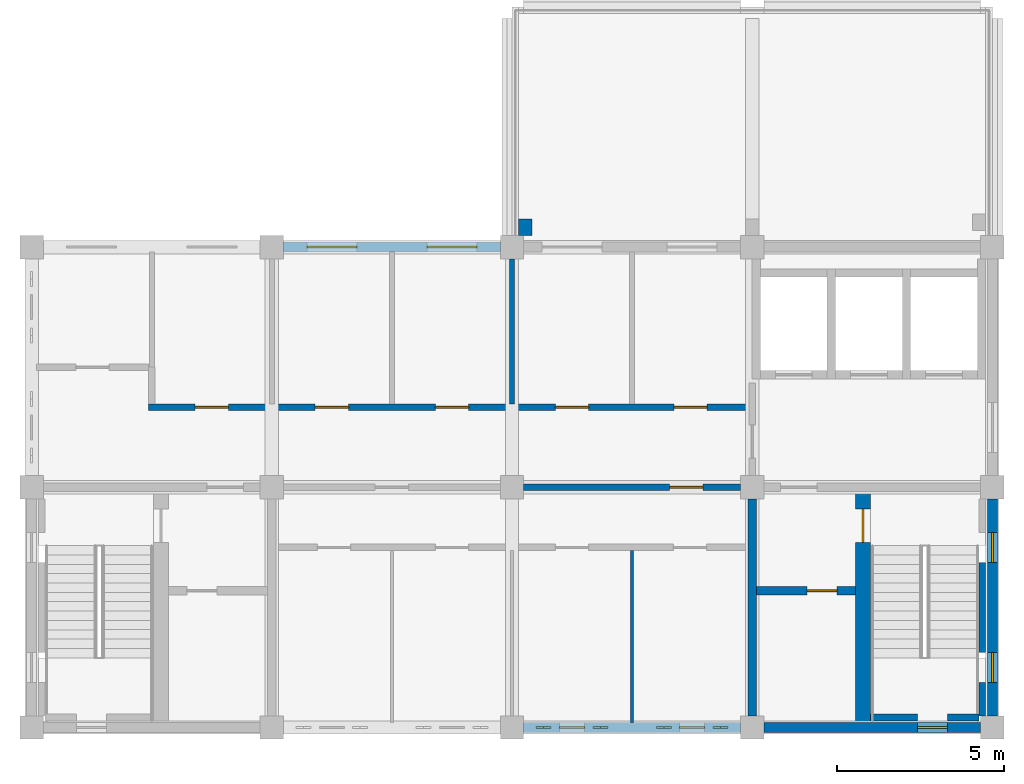
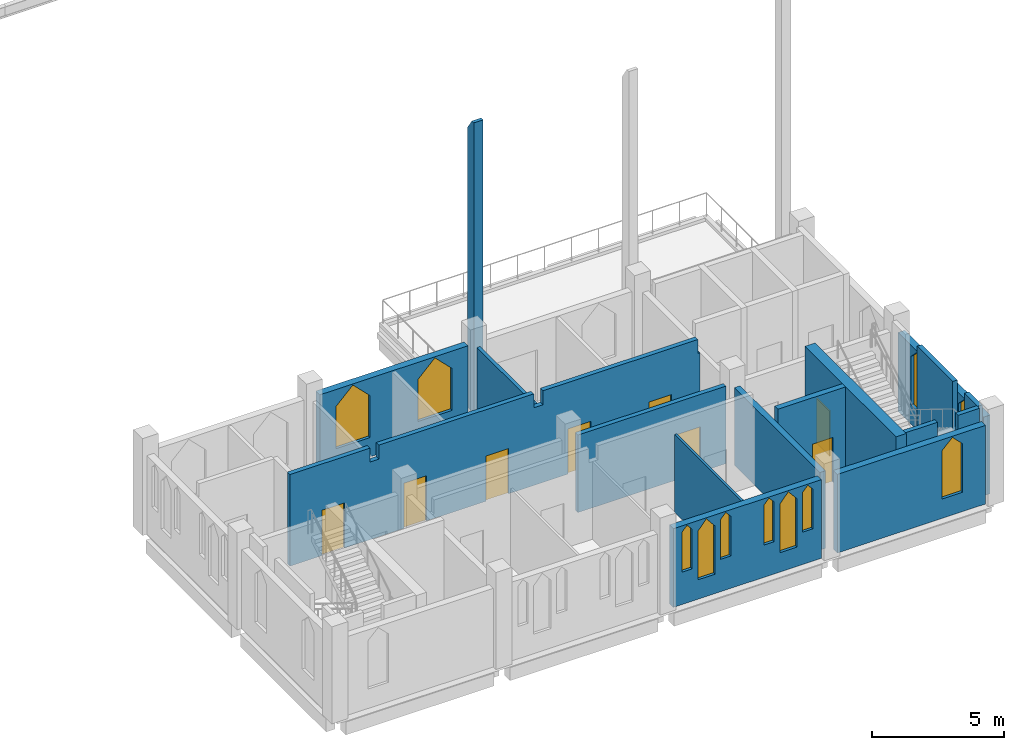
# One storey, part 3 of 5: 16 walls, 11 windows, 8 doors, 19 openings.
"""IFC4 building model written with IfcOpenShell, lengths in metres."""

from ifc_helpers import new_model, si_unit, direction, frame, frame_2d, origin, place, context, subcontext, project, spatial, polyline, rectangle, outline, extrude, material, layer, layer_set, type_object, element, fill, save


model = new_model("IFC4")

# Units and contexts
model_context = context("Model", 3, precision=1e-05, world=origin(), true_north=direction((0.0, 1.0)))
body_context = subcontext(model_context, "Body", "Model", "MODEL_VIEW")
ifc_project = project(units=[si_unit("LENGTHUNIT", "METRE"), si_unit("AREAUNIT", "SQUARE_METRE"), si_unit("VOLUMEUNIT", "CUBIC_METRE"), si_unit("PLANEANGLEUNIT", "RADIAN"), si_unit("MASSUNIT", "GRAM", prefix="KILO")], contexts=[model_context])

# Site, building, storey
site_placement = place(None, origin())
site = spatial("IfcSite", under=ifc_project, at=site_placement, CompositionType="ELEMENT")
building_placement = place(site_placement, origin())
building = spatial("IfcBuilding", under=site, at=building_placement, Name="Silangan Lancet Faculty of Sciences", CompositionType="ELEMENT")
storey_placement = place(building_placement, frame((0.0, 0.0, 67.800048828125)))
storey = spatial("IfcBuildingStorey", under=building, at=storey_placement, Name="L14", CompositionType="ELEMENT", Elevation=67.800048828125)

# Wall, openings, windows
ifc_material_1 = material(Name="Concrete C40/50 precast", Category="concrete")
ifc_layer_1 = layer(ifc_material_1, 0.300048828125)
ifc_layer_set_1 = layer_set([ifc_layer_1], Name="Concrete C40/50 precast")
wall_type_1 = type_object("IfcWallType", Name="EW1 Precast cladding wall", PredefinedType="STANDARD", material=ifc_layer_set_1)
wall_1_placement = place(storey_placement, frame((14.75, 0.0, 0.0), z_axis=(0.0, 0.0, 1.0), x_axis=(1.0, 0.0, 0.0)))
wall_1 = element("IfcWall", 1, at=wall_1_placement, inside=storey, type_object=wall_type_1, Name="EW-L14-S-ST-02", PredefinedType="STANDARD", context=body_context, shape_type="SweptSolid", body=[
    extrude(rectangle(XDim=6.5, YDim=0.300048828125, at=frame_2d((3.25, 0.0))), origin(), (0.0, 0.0, 1.0), 3.64990234375),
])
opening_1_placement = place(wall_1_placement, frame((0.375, 0.0, 1.5)))
opening_1 = element("IfcOpeningElement", 2, at=opening_1_placement, cuts=wall_1, Name="Opening W27", PredefinedType="OPENING", context=body_context, shape_type="SweptSolid", body=[
    extrude(outline(polyline([(0.0, 0.0), (0.449951171875, 0.0), (0.449951171875, 1.85009765625), (0.22509765625, 2.10009765625), (0.0, 1.85009765625), (0.0, 0.0)])), frame((0.0, 0.159912109375, 0.0), z_axis=(0.0, -1.0, 0.0), x_axis=(1.0, 0.0, 0.0)), (0.0, 0.0, 1.0), 0.320068359375),
])
opening_2_placement = place(wall_1_placement, frame((1.074951171875, 0.0, 0.89990234375)))
opening_2 = element("IfcOpeningElement", 3, at=opening_2_placement, cuts=wall_1, Name="Opening W28", PredefinedType="OPENING", context=body_context, shape_type="SweptSolid", body=[
    extrude(outline(polyline([(0.0, 0.0), (0.75, 0.0), (0.75, 2.25), (0.375, 2.699951171875), (0.0, 2.25), (0.0, 0.0)])), frame((0.0, 0.159912109375, 0.0), z_axis=(0.0, -1.0, 0.0), x_axis=(1.0, 0.0, 0.0)), (0.0, 0.0, 1.0), 0.320068359375),
])
opening_3_placement = place(wall_1_placement, frame((2.074951171875, 0.0, 1.5)))
opening_3 = element("IfcOpeningElement", 4, at=opening_3_placement, cuts=wall_1, Name="Opening W27", PredefinedType="OPENING", context=body_context, shape_type="SweptSolid", body=[
    extrude(outline(polyline([(0.0, 0.0), (0.449951171875, 0.0), (0.449951171875, 1.85009765625), (0.22509765625, 2.10009765625), (0.0, 1.85009765625), (0.0, 0.0)])), frame((0.0, 0.159912109375, 0.0), z_axis=(0.0, -1.0, 0.0), x_axis=(1.0, 0.0, 0.0)), (0.0, 0.0, 1.0), 0.320068359375),
])
opening_4_placement = place(wall_1_placement, frame((3.97509765625, 0.0, 1.5)))
opening_4 = element("IfcOpeningElement", 5, at=opening_4_placement, cuts=wall_1, Name="Opening W27", PredefinedType="OPENING", context=body_context, shape_type="SweptSolid", body=[
    extrude(outline(polyline([(0.0, 0.0), (0.449951171875, 0.0), (0.449951171875, 1.85009765625), (0.22509765625, 2.10009765625), (0.0, 1.85009765625), (0.0, 0.0)])), frame((0.0, 0.159912109375, 0.0), z_axis=(0.0, -1.0, 0.0), x_axis=(1.0, 0.0, 0.0)), (0.0, 0.0, 1.0), 0.320068359375),
])
opening_5_placement = place(wall_1_placement, frame((4.675048828125, 0.0, 0.89990234375)))
opening_5 = element("IfcOpeningElement", 6, at=opening_5_placement, cuts=wall_1, Name="Opening W28", PredefinedType="OPENING", context=body_context, shape_type="SweptSolid", body=[
    extrude(outline(polyline([(0.0, 0.0), (0.75, 0.0), (0.75, 2.25), (0.375, 2.699951171875), (0.0, 2.25), (0.0, 0.0)])), frame((0.0, 0.159912109375, 0.0), z_axis=(0.0, -1.0, 0.0), x_axis=(1.0, 0.0, 0.0)), (0.0, 0.0, 1.0), 0.320068359375),
])
opening_6_placement = place(wall_1_placement, frame((5.675048828125, 0.0, 1.5)))
opening_6 = element("IfcOpeningElement", 7, at=opening_6_placement, cuts=wall_1, Name="Opening W27", PredefinedType="OPENING", context=body_context, shape_type="SweptSolid", body=[
    extrude(outline(polyline([(0.0, 0.0), (0.449951171875, 0.0), (0.449951171875, 1.85009765625), (0.22509765625, 2.10009765625), (0.0, 1.85009765625), (0.0, 0.0)])), frame((0.0, 0.159912109375, 0.0), z_axis=(0.0, -1.0, 0.0), x_axis=(1.0, 0.0, 0.0)), (0.0, 0.0, 1.0), 0.320068359375),
])
ifc_material_2 = material(Name="Aluminium frame, laminated double glazing", Category="aluminium")
window_type_1 = type_object("IfcWindowType", Name="W27 Lancet window 450 x 2100 on a 1500 sill", PartitioningType="SINGLE_PANEL", PredefinedType="WINDOW", material=ifc_material_2)
window_1_placement = place(opening_1_placement, origin())
window_1 = element("IfcWindow", 8, at=window_1_placement, inside=storey, type_object=window_type_1, Name="WIN-L14-S-ST-02a1", OverallHeight=2.10009765625, OverallWidth=0.449951171875, PartitioningType="SINGLE_PANEL", PredefinedType="WINDOW", context=body_context, shape_type="SweptSolid", body=[
    extrude(outline(polyline([(0.0, 0.0), (0.449951171875, 0.0), (0.449951171875, 1.85009765625), (0.22509765625, 2.10009765625), (0.0, 1.85009765625), (0.0, 0.0)])), frame((0.0, 0.030029296875, 0.0), z_axis=(0.0, -1.0, 0.0), x_axis=(1.0, 0.0, 0.0)), (0.0, 0.0, 1.0), 0.06005859375),
])
fill(opening_1, window_1)
window_2_placement = place(opening_3_placement, origin())
window_2 = element("IfcWindow", 9, at=window_2_placement, inside=storey, type_object=window_type_1, Name="WIN-L14-S-ST-02a3", OverallHeight=2.10009765625, OverallWidth=0.449951171875, PartitioningType="SINGLE_PANEL", PredefinedType="WINDOW", context=body_context, shape_type="SweptSolid", body=[
    extrude(outline(polyline([(0.0, 0.0), (0.449951171875, 0.0), (0.449951171875, 1.85009765625), (0.22509765625, 2.10009765625), (0.0, 1.85009765625), (0.0, 0.0)])), frame((0.0, 0.030029296875, 0.0), z_axis=(0.0, -1.0, 0.0), x_axis=(1.0, 0.0, 0.0)), (0.0, 0.0, 1.0), 0.06005859375),
])
fill(opening_3, window_2)
window_3_placement = place(opening_4_placement, origin())
window_3 = element("IfcWindow", 10, at=window_3_placement, inside=storey, type_object=window_type_1, Name="WIN-L14-S-ST-02b1", OverallHeight=2.10009765625, OverallWidth=0.449951171875, PartitioningType="SINGLE_PANEL", PredefinedType="WINDOW", context=body_context, shape_type="SweptSolid", body=[
    extrude(outline(polyline([(0.0, 0.0), (0.449951171875, 0.0), (0.449951171875, 1.85009765625), (0.22509765625, 2.10009765625), (0.0, 1.85009765625), (0.0, 0.0)])), frame((0.0, 0.030029296875, 0.0), z_axis=(0.0, -1.0, 0.0), x_axis=(1.0, 0.0, 0.0)), (0.0, 0.0, 1.0), 0.06005859375),
])
fill(opening_4, window_3)
window_4_placement = place(opening_6_placement, origin())
window_4 = element("IfcWindow", 11, at=window_4_placement, inside=storey, type_object=window_type_1, Name="WIN-L14-S-ST-02b3", OverallHeight=2.10009765625, OverallWidth=0.449951171875, PartitioningType="SINGLE_PANEL", PredefinedType="WINDOW", context=body_context, shape_type="SweptSolid", body=[
    extrude(outline(polyline([(0.0, 0.0), (0.449951171875, 0.0), (0.449951171875, 1.85009765625), (0.22509765625, 2.10009765625), (0.0, 1.85009765625), (0.0, 0.0)])), frame((0.0, 0.030029296875, 0.0), z_axis=(0.0, -1.0, 0.0), x_axis=(1.0, 0.0, 0.0)), (0.0, 0.0, 1.0), 0.06005859375),
])
fill(opening_6, window_4)
ifc_material_3 = material(Name="Aluminium frame, laminated double glazing", Category="aluminium")
window_type_2 = type_object("IfcWindowType", Name="W28 Lancet window 750 x 2700", PartitioningType="SINGLE_PANEL", PredefinedType="WINDOW", material=ifc_material_3)
window_5_placement = place(opening_2_placement, origin())
window_5 = element("IfcWindow", 12, at=window_5_placement, inside=storey, type_object=window_type_2, Name="WIN-L14-S-ST-02a2", OverallHeight=2.699951171875, OverallWidth=0.75, PartitioningType="SINGLE_PANEL", PredefinedType="WINDOW", context=body_context, shape_type="SweptSolid", body=[
    extrude(outline(polyline([(0.0, 0.0), (0.75, 0.0), (0.75, 2.25), (0.375, 2.699951171875), (0.0, 2.25), (0.0, 0.0)])), frame((0.0, 0.030029296875, 0.0), z_axis=(0.0, -1.0, 0.0), x_axis=(1.0, 0.0, 0.0)), (0.0, 0.0, 1.0), 0.06005859375),
])
fill(opening_2, window_5)
window_6_placement = place(opening_5_placement, origin())
window_6 = element("IfcWindow", 13, at=window_6_placement, inside=storey, type_object=window_type_2, Name="WIN-L14-S-ST-02b2", OverallHeight=2.699951171875, OverallWidth=0.75, PartitioningType="SINGLE_PANEL", PredefinedType="WINDOW", context=body_context, shape_type="SweptSolid", body=[
    extrude(outline(polyline([(0.0, 0.0), (0.75, 0.0), (0.75, 2.25), (0.375, 2.699951171875), (0.0, 2.25), (0.0, 0.0)])), frame((0.0, 0.030029296875, 0.0), z_axis=(0.0, -1.0, 0.0), x_axis=(1.0, 0.0, 0.0)), (0.0, 0.0, 1.0), 0.06005859375),
])
fill(opening_5, window_6)

wall_2_placement = place(storey_placement, frame((14.050048828125, 14.39990234375, 0.0), z_axis=(0.0, 0.0, 1.0), x_axis=(-1.0, 0.0, 0.0)))
wall_2 = element("IfcWall", 14, at=wall_2_placement, inside=storey, type_object=wall_type_1, Name="EW-L14-N-ST-U-02", PredefinedType="STANDARD", context=body_context, shape_type="SweptSolid", body=[
    extrude(rectangle(XDim=6.5, YDim=0.300048828125, at=frame_2d((3.25, 0.0))), origin(), (0.0, 0.0, 1.0), 3.64990234375),
])
opening_7_placement = place(wall_2_placement, frame((0.699951171875, 0.0, 0.89990234375)))
opening_7 = element("IfcOpeningElement", 15, at=opening_7_placement, cuts=wall_2, Name="Opening W23", PredefinedType="OPENING", context=body_context, shape_type="SweptSolid", body=[
    extrude(outline(polyline([(0.0, 0.0), (1.5, 0.0), (1.5, 1.949951171875), (0.75, 2.699951171875), (0.0, 1.949951171875), (0.0, 0.0)])), frame((0.0, 0.159912109375, 0.0), z_axis=(0.0, -1.0, 0.0), x_axis=(1.0, 0.0, 0.0)), (0.0, 0.0, 1.0), 0.320068359375),
])
opening_8_placement = place(wall_2_placement, frame((4.300048828125, 0.0, 0.89990234375)))
opening_8 = element("IfcOpeningElement", 16, at=opening_8_placement, cuts=wall_2, Name="Opening W23", PredefinedType="OPENING", context=body_context, shape_type="SweptSolid", body=[
    extrude(outline(polyline([(0.0, 0.0), (1.5, 0.0), (1.5, 1.949951171875), (0.75, 2.699951171875), (0.0, 1.949951171875), (0.0, 0.0)])), frame((0.0, 0.159912109375, 0.0), z_axis=(0.0, -1.0, 0.0), x_axis=(1.0, 0.0, 0.0)), (0.0, 0.0, 1.0), 0.320068359375),
])
ifc_material_4 = material(Name="Aluminium frame, laminated double glazing", Category="aluminium")
window_type_3 = type_object("IfcWindowType", Name="W23 Lancet window 1500 x 2700", PartitioningType="SINGLE_PANEL", PredefinedType="WINDOW", material=ifc_material_4)
window_7_placement = place(opening_7_placement, origin())
window_7 = element("IfcWindow", 17, at=window_7_placement, inside=storey, type_object=window_type_3, Name="WIN-L14-N-ST-U-02a", OverallHeight=2.699951171875, OverallWidth=1.5, PartitioningType="SINGLE_PANEL", PredefinedType="WINDOW", context=body_context, shape_type="SweptSolid", body=[
    extrude(outline(polyline([(0.0, 0.0), (1.5, 0.0), (1.5, 1.949951171875), (0.75, 2.699951171875), (0.0, 1.949951171875), (0.0, 0.0)])), frame((0.0, 0.030029296875, 0.0), z_axis=(0.0, -1.0, 0.0), x_axis=(1.0, 0.0, 0.0)), (0.0, 0.0, 1.0), 0.06005859375),
])
fill(opening_7, window_7)
window_8_placement = place(opening_8_placement, origin())
window_8 = element("IfcWindow", 18, at=window_8_placement, inside=storey, type_object=window_type_3, Name="WIN-L14-N-ST-U-02b", OverallHeight=2.699951171875, OverallWidth=1.5, PartitioningType="SINGLE_PANEL", PredefinedType="WINDOW", context=body_context, shape_type="SweptSolid", body=[
    extrude(outline(polyline([(0.0, 0.0), (1.5, 0.0), (1.5, 1.949951171875), (0.75, 2.699951171875), (0.0, 1.949951171875), (0.0, 0.0)])), frame((0.0, 0.030029296875, 0.0), z_axis=(0.0, -1.0, 0.0), x_axis=(1.0, 0.0, 0.0)), (0.0, 0.0, 1.0), 0.06005859375),
])
fill(opening_8, window_8)

# Wall, opening, window
ifc_material_5 = material(Name="Concrete C40/50 precast", Category="concrete")
ifc_layer_2 = layer(ifc_material_5, 0.300048828125)
ifc_layer_set_2 = layer_set([ifc_layer_2], Name="Concrete C40/50 precast")
wall_type_2 = type_object("IfcWallType", Name="EW2 Turret enclosure wall", PredefinedType="STANDARD", material=ifc_layer_set_2)
wall_3_placement = place(storey_placement, frame((21.949951171875, 0.0, 0.0), z_axis=(0.0, 0.0, 1.0), x_axis=(1.0, 0.0, 0.0)))
wall_3 = element("IfcWall", 19, at=wall_3_placement, inside=storey, type_object=wall_type_2, Name="EW-L14-S-ST-03", PredefinedType="STANDARD", context=body_context, shape_type="SweptSolid", body=[
    extrude(rectangle(XDim=6.5, YDim=0.300048828125, at=frame_2d((3.25, 0.0))), origin(), (0.0, 0.0, 1.0), 3.64990234375),
])
opening_9_placement = place(wall_3_placement, frame((4.60009765625, 0.0, 0.89990234375)))
opening_9 = element("IfcOpeningElement", 20, at=opening_9_placement, cuts=wall_3, Name="Opening W22", PredefinedType="OPENING", context=body_context, shape_type="SweptSolid", body=[
    extrude(outline(polyline([(0.0, 0.0), (0.89990234375, 0.0), (0.89990234375, 2.25), (0.449951171875, 2.699951171875), (0.0, 2.25), (0.0, 0.0)])), frame((0.0, 0.159912109375, 0.0), z_axis=(0.0, -1.0, 0.0), x_axis=(1.0, 0.0, 0.0)), (0.0, 0.0, 1.0), 0.320068359375),
])
ifc_material_6 = material(Name="Aluminium frame, laminated double glazing", Category="aluminium")
window_type_4 = type_object("IfcWindowType", Name="W22 Lancet window 900 x 2700", PartitioningType="SINGLE_PANEL", PredefinedType="WINDOW", material=ifc_material_6)
window_9_placement = place(opening_9_placement, origin())
window_9 = element("IfcWindow", 21, at=window_9_placement, inside=storey, type_object=window_type_4, Name="WIN-L14-S-ST-03b", OverallHeight=2.699951171875, OverallWidth=0.89990234375, PartitioningType="SINGLE_PANEL", PredefinedType="WINDOW", context=body_context, shape_type="SweptSolid", body=[
    extrude(outline(polyline([(0.0, 0.0), (0.89990234375, 0.0), (0.89990234375, 2.25), (0.449951171875, 2.699951171875), (0.0, 2.25), (0.0, 0.0)])), frame((0.0, 0.030029296875, 0.0), z_axis=(0.0, -1.0, 0.0), x_axis=(1.0, 0.0, 0.0)), (0.0, 0.0, 1.0), 0.06005859375),
])
fill(opening_9, window_9)

# Wall, openings, windows
wall_4_placement = place(storey_placement, frame((28.800048828125, 0.35009765625, 0.0), z_axis=(0.0, 0.0, 1.0), x_axis=(0.0, 1.0, 0.0)))
wall_4 = element("IfcWall", 22, at=wall_4_placement, inside=storey, type_object=wall_type_2, Name="EW-L14-E-ST-U-00", PredefinedType="STANDARD", context=body_context, shape_type="SweptSolid", body=[
    extrude(rectangle(XDim=6.5, YDim=0.300048828125, at=frame_2d((3.25, 0.0))), origin(), (0.0, 0.0, 1.0), 3.64990234375),
])
opening_10_placement = place(wall_4_placement, frame((1.0, 0.0, 0.89990234375)))
opening_10 = element("IfcOpeningElement", 23, at=opening_10_placement, cuts=wall_4, Name="Opening W22", PredefinedType="OPENING", context=body_context, shape_type="SweptSolid", body=[
    extrude(outline(polyline([(0.0, 0.0), (0.89990234375, 0.0), (0.89990234375, 2.25), (0.449951171875, 2.699951171875), (0.0, 2.25), (0.0, 0.0)])), frame((0.0, 0.159912109375, 0.0), z_axis=(0.0, -1.0, 0.0), x_axis=(1.0, 0.0, 0.0)), (0.0, 0.0, 1.0), 0.320068359375),
])
opening_11_placement = place(wall_4_placement, frame((4.60009765625, 0.0, 0.89990234375)))
opening_11 = element("IfcOpeningElement", 24, at=opening_11_placement, cuts=wall_4, Name="Opening W22", PredefinedType="OPENING", context=body_context, shape_type="SweptSolid", body=[
    extrude(outline(polyline([(0.0, 0.0), (0.89990234375, 0.0), (0.89990234375, 2.25), (0.449951171875, 2.699951171875), (0.0, 2.25), (0.0, 0.0)])), frame((0.0, 0.159912109375, 0.0), z_axis=(0.0, -1.0, 0.0), x_axis=(1.0, 0.0, 0.0)), (0.0, 0.0, 1.0), 0.320068359375),
])
window_10_placement = place(opening_10_placement, origin())
window_10 = element("IfcWindow", 25, at=window_10_placement, inside=storey, type_object=window_type_4, Name="WIN-L14-E-ST-U-00a", OverallHeight=2.699951171875, OverallWidth=0.89990234375, PartitioningType="SINGLE_PANEL", PredefinedType="WINDOW", context=body_context, shape_type="SweptSolid", body=[
    extrude(outline(polyline([(0.0, 0.0), (0.89990234375, 0.0), (0.89990234375, 2.25), (0.449951171875, 2.699951171875), (0.0, 2.25), (0.0, 0.0)])), frame((0.0, 0.030029296875, 0.0), z_axis=(0.0, -1.0, 0.0), x_axis=(1.0, 0.0, 0.0)), (0.0, 0.0, 1.0), 0.06005859375),
])
fill(opening_10, window_10)
window_11_placement = place(opening_11_placement, origin())
window_11 = element("IfcWindow", 26, at=window_11_placement, inside=storey, type_object=window_type_4, Name="WIN-L14-E-ST-U-00b", OverallHeight=2.699951171875, OverallWidth=0.89990234375, PartitioningType="SINGLE_PANEL", PredefinedType="WINDOW", context=body_context, shape_type="SweptSolid", body=[
    extrude(outline(polyline([(0.0, 0.0), (0.89990234375, 0.0), (0.89990234375, 2.25), (0.449951171875, 2.699951171875), (0.0, 2.25), (0.0, 0.0)])), frame((0.0, 0.030029296875, 0.0), z_axis=(0.0, -1.0, 0.0), x_axis=(1.0, 0.0, 0.0)), (0.0, 0.0, 1.0), 0.06005859375),
])
fill(opening_11, window_11)

# Wall
ifc_material_7 = material(Name="Concrete C40/50 precast", Category="concrete")
ifc_layer_3 = layer(ifc_material_7, 0.39990234375)
ifc_layer_set_3 = layer_set([ifc_layer_3], Name="Concrete C40/50 precast")
wall_type_3 = type_object("IfcWallType", Name="FN34 Buttress Fin column line stage 4 13500", PredefinedType="POLYGONAL", material=ifc_layer_set_3)
wall_5_placement = place(storey_placement, frame((14.800048828125, 14.75, 0.0), z_axis=(0.0, 0.0, 1.0), x_axis=(0.0, 1.0, 0.0)))
element("IfcWall", 27, at=wall_5_placement, inside=storey, type_object=wall_type_3, Name="FINC-N-ST-T-03", PredefinedType="POLYGONAL", context=body_context, shape_type="SweptSolid", body=[
    extrude(outline(polyline([(0.5, 0.0), (0.5, 12.974853515625), (0.14990234375, 13.5), (0.0, 13.5), (0.0, 0.0), (0.5, 0.0)])), frame((0.0, 0.199951171875, 0.0), z_axis=(0.0, -1.0, 0.0), x_axis=(1.0, 0.0, 0.0)), (0.0, 0.0, 1.0), 0.39990234375),
])

# Wall, opening, door
ifc_material_8 = material(Name="Hollow block masonry fm 7 MPa", Category="masonry")
ifc_layer_4 = layer(ifc_material_8, 0.199951171875)
ifc_layer_set_4 = layer_set([ifc_layer_4], Name="Hollow block masonry fm 7 MPa")
wall_type_4 = type_object("IfcWallType", Name="Interior wall PW1 Corridor wall CHB 200", PredefinedType="PARTITIONING", material=ifc_layer_set_4)
wall_6_placement = place(storey_placement, frame((14.75, 7.199951171875, 0.0), z_axis=(0.0, 0.0, 1.0), x_axis=(1.0, 0.0, 0.0)))
wall_6 = element("IfcWall", 28, at=wall_6_placement, inside=storey, type_object=wall_type_4, Name="Corridor wall CHB 200", PredefinedType="PARTITIONING", context=body_context, shape_type="SweptSolid", body=[
    extrude(rectangle(XDim=6.5, YDim=0.199951171875, at=frame_2d((3.25, 0.0))), origin(), (0.0, 0.0, 1.0), 3.599853515625),
])
opening_12_placement = place(wall_6_placement, frame((4.375, 0.0, 0.0)))
opening_12 = element("IfcOpeningElement", 29, at=opening_12_placement, cuts=wall_6, Name="Opening L14-003", PredefinedType="OPENING", context=body_context, shape_type="SweptSolid", body=[
    extrude(rectangle(XDim=1.0, YDim=2.10009765625, at=frame_2d((0.5, 1.050048828125))), frame((0.0, 0.10986328125, 0.0), z_axis=(0.0, -1.0, 0.0), x_axis=(1.0, 0.0, 0.0)), (0.0, 0.0, 1.0), 0.219970703125),
])
ifc_material_9 = material(Name="Steel fire door set", Category="steel")
door_type_1 = type_object("IfcDoorType", Name="Door D1 Single leaf fire door 1000 x 2100", OperationType="SINGLE_SWING_LEFT", PredefinedType="DOOR", material=ifc_material_9)
door_1_placement = place(opening_12_placement, frame((1.0, 0.0, 0.0), z_axis=(0.0, 0.0, 1.0), x_axis=(-1.0, 0.0, 0.0)))
door_1 = element("IfcDoor", 30, at=door_1_placement, inside=storey, type_object=door_type_1, Name="Single leaf fire door 1000 x 2100", OperationType="SINGLE_SWING_RIGHT", OverallHeight=2.10009765625, OverallWidth=1.0, PredefinedType="DOOR", context=body_context, shape_type="SweptSolid", body=[
    extrude(rectangle(XDim=1.0, YDim=2.10009765625, at=frame_2d((0.5, 1.050048828125))), frame((0.0, 0.025146484375, 0.0), z_axis=(0.0, -1.0, 0.0), x_axis=(1.0, 0.0, 0.0)), (0.0, 0.0, 1.0), 0.050048828125),
])
fill(opening_12, door_1)

# Wall, openings, doors
wall_7_placement = place(storey_placement, frame((3.5, 9.60009765625, 0.0), z_axis=(0.0, 0.0, 1.0), x_axis=(1.0, 0.0, 0.0)))
wall_7 = element("IfcWall", 31, at=wall_7_placement, inside=storey, type_object=wall_type_4, Name="Corridor wall CHB 200", PredefinedType="PARTITIONING", context=body_context, shape_type="SweptSolid", body=[
    extrude(outline(polyline([(0.0, 0.0), (18.0, 0.0), (18.0, 3.599853515625), (17.89990234375, 3.599853515625), (17.89990234375, 4.25), (11.10009765625, 4.25), (11.10009765625, 3.599853515625), (10.699951171875, 3.599853515625), (10.699951171875, 4.25), (3.89990234375, 4.25), (3.89990234375, 3.599853515625), (3.5, 3.599853515625), (3.5, 4.25), (0.0, 4.25), (0.0, 0.0)])), frame((0.0, 0.10009765625, 0.0), z_axis=(0.0, -1.0, 0.0), x_axis=(1.0, 0.0, 0.0)), (0.0, 0.0, 1.0), 0.199951171875),
])
opening_13_placement = place(wall_7_placement, frame((15.75, 0.0, 0.0)))
opening_13 = element("IfcOpeningElement", 32, at=opening_13_placement, cuts=wall_7, Name="Opening L14-008", PredefinedType="OPENING", context=body_context, shape_type="SweptSolid", body=[
    extrude(rectangle(XDim=1.0, YDim=2.10009765625, at=frame_2d((0.5, 1.050048828125))), frame((0.0, 0.10986328125, 0.0), z_axis=(0.0, -1.0, 0.0), x_axis=(1.0, 0.0, 0.0)), (0.0, 0.0, 1.0), 0.219970703125),
])
opening_14_placement = place(wall_7_placement, frame((1.39990234375, 0.0, 0.0)))
opening_14 = element("IfcOpeningElement", 33, at=opening_14_placement, cuts=wall_7, Name="Opening L14-010", PredefinedType="OPENING", context=body_context, shape_type="SweptSolid", body=[
    extrude(rectangle(XDim=1.0, YDim=2.10009765625, at=frame_2d((0.5, 1.050048828125))), frame((0.0, 0.10986328125, 0.0), z_axis=(0.0, -1.0, 0.0), x_axis=(1.0, 0.0, 0.0)), (0.0, 0.0, 1.0), 0.219970703125),
])
opening_15_placement = place(wall_7_placement, frame((5.0, 0.0, 0.0)))
opening_15 = element("IfcOpeningElement", 34, at=opening_15_placement, cuts=wall_7, Name="Opening L14-011", PredefinedType="OPENING", context=body_context, shape_type="SweptSolid", body=[
    extrude(rectangle(XDim=1.0, YDim=2.10009765625, at=frame_2d((0.5, 1.050048828125))), frame((0.0, 0.10986328125, 0.0), z_axis=(0.0, -1.0, 0.0), x_axis=(1.0, 0.0, 0.0)), (0.0, 0.0, 1.0), 0.219970703125),
])
opening_16_placement = place(wall_7_placement, frame((8.60009765625, 0.0, 0.0)))
opening_16 = element("IfcOpeningElement", 35, at=opening_16_placement, cuts=wall_7, Name="Opening L14-012", PredefinedType="OPENING", context=body_context, shape_type="SweptSolid", body=[
    extrude(rectangle(XDim=1.0, YDim=2.10009765625, at=frame_2d((0.5, 1.050048828125))), frame((0.0, 0.10986328125, 0.0), z_axis=(0.0, -1.0, 0.0), x_axis=(1.0, 0.0, 0.0)), (0.0, 0.0, 1.0), 0.219970703125),
])
opening_17_placement = place(wall_7_placement, frame((12.199951171875, 0.0, 0.0)))
opening_17 = element("IfcOpeningElement", 36, at=opening_17_placement, cuts=wall_7, Name="Opening L14-013", PredefinedType="OPENING", context=body_context, shape_type="SweptSolid", body=[
    extrude(rectangle(XDim=1.0, YDim=2.10009765625, at=frame_2d((0.5, 1.050048828125))), frame((0.0, 0.10986328125, 0.0), z_axis=(0.0, -1.0, 0.0), x_axis=(1.0, 0.0, 0.0)), (0.0, 0.0, 1.0), 0.219970703125),
])
door_2_placement = place(opening_13_placement, origin())
door_2 = element("IfcDoor", 37, at=door_2_placement, inside=storey, type_object=door_type_1, Name="Single leaf fire door 1000 x 2100", OperationType="SINGLE_SWING_RIGHT", OverallHeight=2.10009765625, OverallWidth=1.0, PredefinedType="DOOR", context=body_context, shape_type="SweptSolid", body=[
    extrude(rectangle(XDim=1.0, YDim=2.10009765625, at=frame_2d((0.5, 1.050048828125))), frame((0.0, 0.02490234375, 0.0), z_axis=(0.0, -1.0, 0.0), x_axis=(1.0, 0.0, 0.0)), (0.0, 0.0, 1.0), 0.050048828125),
])
fill(opening_13, door_2)
door_3_placement = place(opening_14_placement, origin())
door_3 = element("IfcDoor", 38, at=door_3_placement, inside=storey, type_object=door_type_1, Name="Single leaf fire door 1000 x 2100", OperationType="SINGLE_SWING_RIGHT", OverallHeight=2.10009765625, OverallWidth=1.0, PredefinedType="DOOR", context=body_context, shape_type="SweptSolid", body=[
    extrude(rectangle(XDim=1.0, YDim=2.10009765625, at=frame_2d((0.5, 1.050048828125))), frame((0.0, 0.02490234375, 0.0), z_axis=(0.0, -1.0, 0.0), x_axis=(1.0, 0.0, 0.0)), (0.0, 0.0, 1.0), 0.050048828125),
])
fill(opening_14, door_3)
door_4_placement = place(opening_15_placement, origin())
door_4 = element("IfcDoor", 39, at=door_4_placement, inside=storey, type_object=door_type_1, Name="Single leaf fire door 1000 x 2100", OperationType="SINGLE_SWING_LEFT", OverallHeight=2.10009765625, OverallWidth=1.0, PredefinedType="DOOR", context=body_context, shape_type="SweptSolid", body=[
    extrude(rectangle(XDim=1.0, YDim=2.10009765625, at=frame_2d((0.5, 1.050048828125))), frame((0.0, 0.02490234375, 0.0), z_axis=(0.0, -1.0, 0.0), x_axis=(1.0, 0.0, 0.0)), (0.0, 0.0, 1.0), 0.050048828125),
])
fill(opening_15, door_4)
door_5_placement = place(opening_16_placement, origin())
door_5 = element("IfcDoor", 40, at=door_5_placement, inside=storey, type_object=door_type_1, Name="Single leaf fire door 1000 x 2100", OperationType="SINGLE_SWING_RIGHT", OverallHeight=2.10009765625, OverallWidth=1.0, PredefinedType="DOOR", context=body_context, shape_type="SweptSolid", body=[
    extrude(rectangle(XDim=1.0, YDim=2.10009765625, at=frame_2d((0.5, 1.050048828125))), frame((0.0, 0.02490234375, 0.0), z_axis=(0.0, -1.0, 0.0), x_axis=(1.0, 0.0, 0.0)), (0.0, 0.0, 1.0), 0.050048828125),
])
fill(opening_16, door_5)
door_6_placement = place(opening_17_placement, origin())
door_6 = element("IfcDoor", 41, at=door_6_placement, inside=storey, type_object=door_type_1, Name="Single leaf fire door 1000 x 2100", OperationType="SINGLE_SWING_LEFT", OverallHeight=2.10009765625, OverallWidth=1.0, PredefinedType="DOOR", context=body_context, shape_type="SweptSolid", body=[
    extrude(rectangle(XDim=1.0, YDim=2.10009765625, at=frame_2d((0.5, 1.050048828125))), frame((0.0, 0.02490234375, 0.0), z_axis=(0.0, -1.0, 0.0), x_axis=(1.0, 0.0, 0.0)), (0.0, 0.0, 1.0), 0.050048828125),
])
fill(opening_17, door_6)

# Walls
ifc_material_10 = material(Name="Hollow block masonry fm 7 MPa", Category="masonry")
ifc_layer_5 = layer(ifc_material_10, 0.14990234375)
ifc_layer_set_5 = layer_set([ifc_layer_5], Name="Hollow block masonry fm 7 MPa")
wall_type_5 = type_object("IfcWallType", Name="Interior wall PW3 Partition CHB 150", PredefinedType="PARTITIONING", material=ifc_layer_set_5)
wall_8_placement = place(storey_placement, frame((14.39990234375, 9.699951171875, 0.0), z_axis=(0.0, 0.0, 1.0), x_axis=(0.0, 1.0, 0.0)))
element("IfcWall", 42, at=wall_8_placement, inside=storey, type_object=wall_type_5, Name="Partition CHB 150", PredefinedType="PARTITIONING", context=body_context, shape_type="SweptSolid", body=[
    extrude(rectangle(XDim=4.35009765625, YDim=0.14990234375, at=frame_2d((2.175048828125, 0.0))), origin(), (0.0, 0.0, 1.0), 3.599853515625),
])
ifc_material_11 = material(Name="Hollow block masonry fm 7 MPa", Category="masonry")
ifc_layer_6 = layer(ifc_material_11, 0.10009765625)
ifc_layer_set_6 = layer_set([ifc_layer_6], Name="Hollow block masonry fm 7 MPa")
wall_type_6 = type_object("IfcWallType", Name="Interior wall PW8 WC partition CHB 100", PredefinedType="PARTITIONING", material=ifc_layer_set_6)
wall_9_placement = place(storey_placement, frame((18.0, 0.14990234375, 0.0), z_axis=(0.0, 0.0, 1.0), x_axis=(0.0, 1.0, 0.0)))
element("IfcWall", 43, at=wall_9_placement, inside=storey, type_object=wall_type_6, Name="WC partition CHB 100", PredefinedType="PARTITIONING", context=body_context, shape_type="SweptSolid", body=[
    extrude(rectangle(XDim=5.150146484375, YDim=0.10009765625, at=frame_2d((2.5751953125, 0.0))), origin(), (0.0, 0.0, 1.0), 3.599853515625),
])

# Wall, opening, door
ifc_material_12 = material(Name="Concrete C40/50", Category="concrete")
ifc_layer_7 = layer(ifc_material_12, 0.449951171875)
ifc_layer_set_7 = layer_set([ifc_layer_7], Name="Concrete C40/50")
wall_type_7 = type_object("IfcWallType", Name="TURRET CORE WALL RC 450", PredefinedType="SHEAR", material=ifc_layer_set_7)
wall_10_placement = place(storey_placement, frame((24.925048828125, 0.14990234375, 0.0), z_axis=(0.0, 0.0, 1.0), x_axis=(0.0, 1.0, 0.0)))
wall_10 = element("IfcWall", 44, at=wall_10_placement, inside=storey, type_object=wall_type_7, Name="WALL-L14-ST-B-WELL", PredefinedType="SHEAR", context=body_context, shape_type="SweptSolid", body=[
    extrude(rectangle(XDim=6.925048828125, YDim=0.449951171875, at=frame_2d((3.46240234375, 0.0))), origin(), (0.0, 0.0, 1.0), 4.25),
])
opening_18_placement = place(wall_10_placement, frame((5.39990234375, 0.0, 0.0)))
opening_18 = element("IfcOpeningElement", 45, at=opening_18_placement, cuts=wall_10, Name="Opening L14-704", PredefinedType="OPENING", context=body_context, shape_type="SweptSolid", body=[
    extrude(rectangle(XDim=1.0, YDim=2.10009765625, at=frame_2d((0.5, 1.050048828125))), frame((0.0, 0.23486328125, 0.0), z_axis=(0.0, -1.0, 0.0), x_axis=(1.0, 0.0, 0.0)), (0.0, 0.0, 1.0), 0.469970703125),
])
ifc_material_13 = material(Name="Steel fire door set", Category="steel")
door_type_2 = type_object("IfcDoorType", Name="D71 Stair enclosure door 1000x2100", OperationType="SINGLE_SWING_LEFT", PredefinedType="DOOR", material=ifc_material_13)
door_7_placement = place(opening_18_placement, frame((1.0, 0.0, 0.0), z_axis=(0.0, 0.0, 1.0), x_axis=(-1.0, 0.0, 0.0)))
door_7 = element("IfcDoor", 46, at=door_7_placement, inside=storey, type_object=door_type_2, Name="Stair enclosure door ST-B L14", OperationType="SINGLE_SWING_LEFT", OverallHeight=2.10009765625, OverallWidth=1.0, PredefinedType="DOOR", context=body_context, shape_type="SweptSolid", body=[
    extrude(rectangle(XDim=1.0, YDim=2.10009765625, at=frame_2d((0.5, 1.050048828125))), frame((0.0, 0.025146484375, 0.0), z_axis=(0.0, -1.0, 0.0), x_axis=(1.0, 0.0, 0.0)), (0.0, 0.0, 1.0), 0.050048828125),
])
fill(opening_18, door_7)

# Walls
ifc_material_14 = material(Name="Concrete C40/50", Category="concrete")
ifc_layer_8 = layer(ifc_material_14, 0.199951171875)
ifc_layer_set_8 = layer_set([ifc_layer_8], Name="Concrete C40/50")
wall_type_8 = type_object("IfcWallType", Name="TURRET LINING WALL RC 200", PredefinedType="SHEAR", material=ifc_layer_set_8)
wall_11_placement = place(storey_placement, frame((28.5, 0.35009765625, -0.25), z_axis=(0.0, 0.0, 1.0), x_axis=(0.0, 1.0, 0.0)))
element("IfcWall", 47, at=wall_11_placement, inside=storey, type_object=wall_type_8, Name="WALL-L14-ST-B-WL", PredefinedType="SHEAR", context=body_context, shape_type="SweptSolid", body=[
    extrude(rectangle(XDim=1.0, YDim=0.199951171875, at=frame_2d((0.5, 0.0))), origin(), (0.0, 0.0, 1.0), 4.5),
])
wall_12_placement = place(storey_placement, frame((28.5, 2.25, -0.25), z_axis=(0.0, 0.0, 1.0), x_axis=(0.0, 1.0, 0.0)))
element("IfcWall", 48, at=wall_12_placement, inside=storey, type_object=wall_type_8, Name="WALL-L14-ST-B-WL-2", PredefinedType="SHEAR", context=body_context, shape_type="SweptSolid", body=[
    extrude(rectangle(XDim=2.699951171875, YDim=0.199951171875, at=frame_2d((1.35009765625, 0.0))), origin(), (0.0, 0.0, 1.0), 4.5),
])
wall_13_placement = place(storey_placement, frame((25.14990234375, 0.300048828125, -0.25), z_axis=(0.0, 0.0, 1.0), x_axis=(1.0, 0.0, 0.0)))
element("IfcWall", 49, at=wall_13_placement, inside=storey, type_object=wall_type_8, Name="WALL-L14-ST-B-WLD", PredefinedType="SHEAR", context=body_context, shape_type="SweptSolid", body=[
    extrude(rectangle(XDim=1.400146484375, YDim=0.199951171875, at=frame_2d((0.7001953125, 0.0))), origin(), (0.0, 0.0, 1.0), 4.5),
])
wall_14_placement = place(storey_placement, frame((27.449951171875, 0.300048828125, -0.25), z_axis=(0.0, 0.0, 1.0), x_axis=(1.0, 0.0, 0.0)))
element("IfcWall", 50, at=wall_14_placement, inside=storey, type_object=wall_type_8, Name="WALL-L14-ST-B-WLD-2", PredefinedType="SHEAR", context=body_context, shape_type="SweptSolid", body=[
    extrude(rectangle(XDim=0.949951171875, YDim=0.199951171875, at=frame_2d((0.47509765625, 0.0))), origin(), (0.0, 0.0, 1.0), 4.5),
])
ifc_material_15 = material(Name="Concrete C40/50", Category="concrete")
ifc_layer_9 = layer(ifc_material_15, 0.25)
ifc_layer_set_9 = layer_set([ifc_layer_9], Name="Concrete C40/50")
wall_type_9 = type_object("IfcWallType", Name="TURRET WALL RC 250", PredefinedType="SHEAR", material=ifc_layer_set_9)
wall_15_placement = place(storey_placement, frame((21.60009765625, 0.35009765625, 0.0), z_axis=(0.0, 0.0, 1.0), x_axis=(0.0, 1.0, 0.0)))
element("IfcWall", 51, at=wall_15_placement, inside=storey, type_object=wall_type_9, Name="WALL-L14-ST-B-O", PredefinedType="SHEAR", context=body_context, shape_type="SweptSolid", body=[
    extrude(rectangle(XDim=6.5, YDim=0.25, at=frame_2d((3.25, 0.0))), origin(), (0.0, 0.0, 1.0), 3.599853515625),
])

# Wall, opening, door
wall_16_placement = place(storey_placement, frame((21.72509765625, 4.10009765625, 0.0), z_axis=(0.0, 0.0, 1.0), x_axis=(1.0, 0.0, 0.0)))
wall_16 = element("IfcWall", 52, at=wall_16_placement, inside=storey, type_object=wall_type_9, Name="WALL-L14-ST-B-RISER", PredefinedType="SHEAR", context=body_context, shape_type="SweptSolid", body=[
    extrude(rectangle(XDim=2.974853515625, YDim=0.25, at=frame_2d((1.4873046875, 0.0))), origin(), (0.0, 0.0, 1.0), 4.25),
])
opening_19_placement = place(wall_16_placement, frame((1.52490234375, 0.0, 0.0)))
opening_19 = element("IfcOpeningElement", 53, at=opening_19_placement, cuts=wall_16, Name="Opening L14-706", PredefinedType="OPENING", context=body_context, shape_type="SweptSolid", body=[
    extrude(rectangle(XDim=0.89990234375, YDim=2.10009765625, at=frame_2d((0.449951171875, 1.050048828125))), frame((0.0, 0.135009765625, 0.0), z_axis=(0.0, -1.0, 0.0), x_axis=(1.0, 0.0, 0.0)), (0.0, 0.0, 1.0), 0.27001953125),
])
ifc_material_16 = material(Name="Steel fire door set", Category="steel")
door_type_3 = type_object("IfcDoorType", Name="D72 Riser access door 900x2100", OperationType="SINGLE_SWING_LEFT", PredefinedType="DOOR", material=ifc_material_16)
door_8_placement = place(opening_19_placement, frame((0.89990234375, 0.0, 0.0), z_axis=(0.0, 0.0, 1.0), x_axis=(-1.0, 0.0, 0.0)))
door_8 = element("IfcDoor", 54, at=door_8_placement, inside=storey, type_object=door_type_3, Name="Riser access door ST-B L14", OperationType="SINGLE_SWING_RIGHT", OverallHeight=2.10009765625, OverallWidth=0.89990234375, PredefinedType="DOOR", context=body_context, shape_type="SweptSolid", body=[
    extrude(rectangle(XDim=0.89990234375, YDim=2.10009765625, at=frame_2d((0.449951171875, 1.050048828125))), frame((0.0, 0.025146484375, 0.0), z_axis=(0.0, -1.0, 0.0), x_axis=(1.0, 0.0, 0.0)), (0.0, 0.0, 1.0), 0.050048828125),
])
fill(opening_19, door_8)

save(model, "model.ifc")
